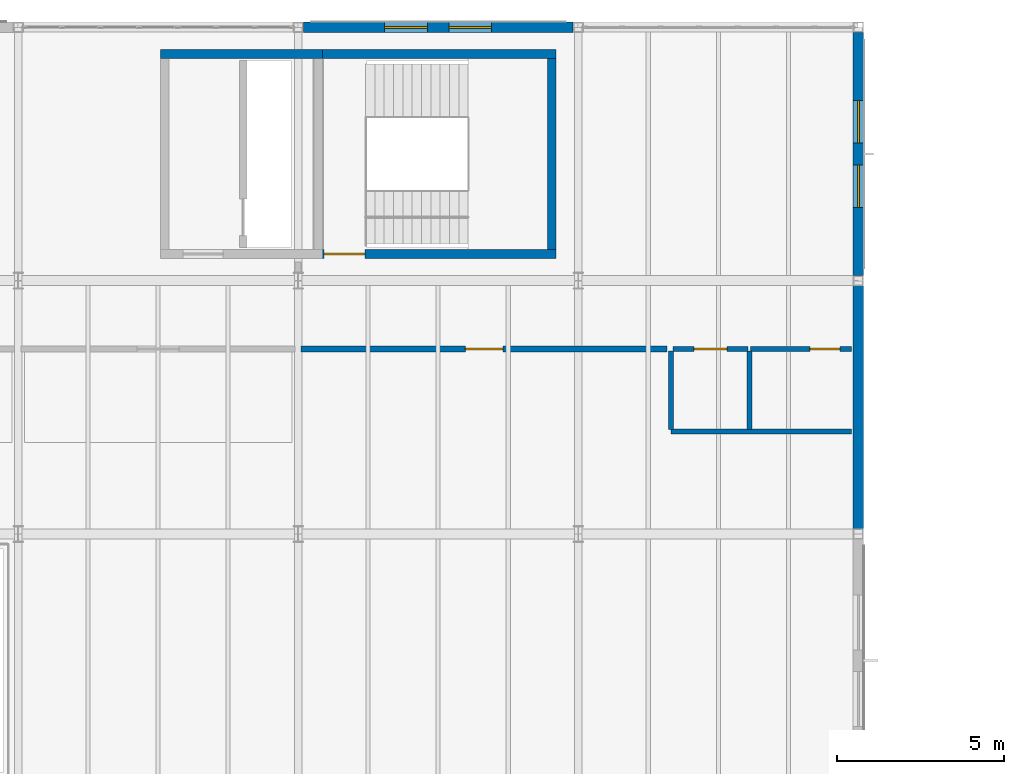
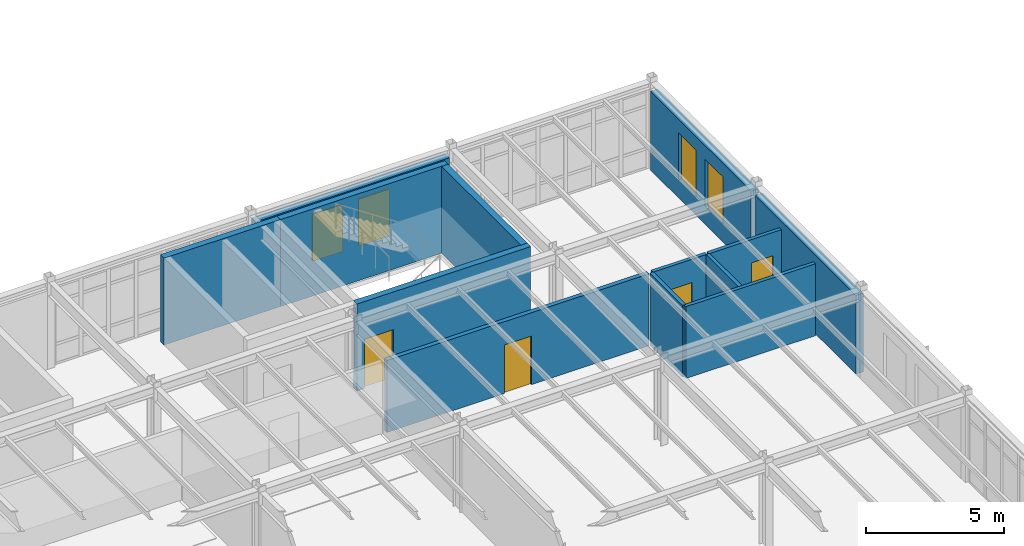
# One storey, part 140 of 165: 13 walls, 4 doors, 4 windows, 8 openings.
"""IFC4 building model written with IfcOpenShell, lengths in metres."""

from ifc_helpers import new_model, si_unit, direction, frame, frame_2d, origin, place, context, subcontext, project, spatial, rectangle, extrude, material, layer, layer_set, type_object, element, fill, save


model = new_model("IFC4")

# Units and contexts
model_context = context("Model", 3, precision=1e-05, world=origin(), true_north=direction((0.0, 1.0)))
body_context = subcontext(model_context, "Body", "Model", "MODEL_VIEW")
ifc_project = project(units=[si_unit("LENGTHUNIT", "METRE"), si_unit("AREAUNIT", "SQUARE_METRE"), si_unit("VOLUMEUNIT", "CUBIC_METRE"), si_unit("PLANEANGLEUNIT", "RADIAN"), si_unit("MASSUNIT", "GRAM", prefix="KILO")], contexts=[model_context])

# Site, building, storey
site_placement = place(None, origin())
site = spatial("IfcSite", under=ifc_project, at=site_placement, CompositionType="ELEMENT")
building_placement = place(site_placement, origin())
building = spatial("IfcBuilding", under=site, at=building_placement, Name="Montecoro Central Library", CompositionType="ELEMENT")
storey_placement = place(building_placement, frame((0.0, 0.0, 5.10009765625)))
storey = spatial("IfcBuildingStorey", under=building, at=storey_placement, Name="L01", CompositionType="ELEMENT", Elevation=5.10009765625)

# Wall
ifc_material_1 = material(Name="Roman travertine stone clad concrete C35/45", Category="masonry")
ifc_layer_1 = layer(ifc_material_1, 0.31005859375)
ifc_layer_set_1 = layer_set([ifc_layer_1], Name="Roman travertine stone clad concrete C35/45")
wall_type_1 = type_object("IfcWallType", Name="EW-TRV-310", PredefinedType="SOLIDWALL", material=ifc_layer_set_1)
wall_1_placement = place(storey_placement, frame((116.800048828125, 103.952880859375, 0.0), z_axis=(0.0, 0.0, 1.0), x_axis=(0.0, 1.0, 0.0)))
element("IfcWall", 1, at=wall_1_placement, inside=storey, type_object=wall_type_1, Name="V2-L01-EW-E3", PredefinedType="SOLIDWALL", context=body_context, shape_type="SweptSolid", body=[
    extrude(rectangle(XDim=7.294189453125, YDim=0.31005859375, at=frame_2d((3.64697265625, 0.0))), origin(), (0.0, 0.0, 1.0), 3.47998046875),
])

# Wall, openings, windows
wall_2_placement = place(storey_placement, frame((116.800048828125, 111.552978515625, 0.0), z_axis=(0.0, 0.0, 1.0), x_axis=(0.0, 1.0, 0.0)))
wall_2 = element("IfcWall", 2, at=wall_2_placement, inside=storey, type_object=wall_type_1, Name="V2-L01-EW-E4", PredefinedType="SOLIDWALL", context=body_context, shape_type="SweptSolid", body=[
    extrude(rectangle(XDim=7.2939453125, YDim=0.31005859375, at=frame_2d((3.64697265625, 0.0))), origin(), (0.0, 0.0, 1.0), 3.47998046875),
])
opening_1_placement = place(wall_2_placement, frame((2.0419921875, 0.0, 0.800048828125)))
opening_1 = element("IfcOpeningElement", 3, at=opening_1_placement, cuts=wall_2, Name="Opening WN-23", PredefinedType="OPENING", context=body_context, shape_type="SweptSolid", body=[
    extrude(rectangle(XDim=1.280029296875, YDim=2.080078125, at=frame_2d((0.64013671875, 1.0400390625))), frame((0.0, 0.1650390625, 0.0), z_axis=(0.0, -1.0, 0.0), x_axis=(1.0, 0.0, 0.0)), (0.0, 0.0, 1.0), 0.330078125),
])
opening_2_placement = place(wall_2_placement, frame((3.971923828125, 0.0, 0.800048828125)))
opening_2 = element("IfcOpeningElement", 4, at=opening_2_placement, cuts=wall_2, Name="Opening WN-23", PredefinedType="OPENING", context=body_context, shape_type="SweptSolid", body=[
    extrude(rectangle(XDim=1.280029296875, YDim=2.080078125, at=frame_2d((0.64013671875, 1.0400390625))), frame((0.0, 0.1650390625, 0.0), z_axis=(0.0, -1.0, 0.0), x_axis=(1.0, 0.0, 0.0)), (0.0, 0.0, 1.0), 0.330078125),
])
ifc_material_2 = material(Name="Laminated low-E double glazing", Category="glass")
window_type = type_object("IfcWindowType", Name="WN-RDG-128", PartitioningType="SINGLE_PANEL", PredefinedType="WINDOW", material=ifc_material_2)
window_1_placement = place(opening_1_placement, origin())
window_1 = element("IfcWindow", 5, at=window_1_placement, inside=storey, type_object=window_type, Name="V2-L01-WN-E4-1", OverallHeight=2.080078125, OverallWidth=1.280029296875, PartitioningType="SINGLE_PANEL", PredefinedType="WINDOW", context=body_context, shape_type="SweptSolid", body=[
    extrude(rectangle(XDim=1.280029296875, YDim=2.080078125, at=frame_2d((0.64013671875, 1.0400390625))), frame((0.0, 0.030029296875, 0.0), z_axis=(0.0, -1.0, 0.0), x_axis=(1.0, 0.0, 0.0)), (0.0, 0.0, 1.0), 0.06005859375),
])
fill(opening_1, window_1)
window_2_placement = place(opening_2_placement, origin())
window_2 = element("IfcWindow", 6, at=window_2_placement, inside=storey, type_object=window_type, Name="V2-L01-WN-E4-2", OverallHeight=2.080078125, OverallWidth=1.280029296875, PartitioningType="SINGLE_PANEL", PredefinedType="WINDOW", context=body_context, shape_type="SweptSolid", body=[
    extrude(rectangle(XDim=1.280029296875, YDim=2.080078125, at=frame_2d((0.64013671875, 1.0400390625))), frame((0.0, 0.030029296875, 0.0), z_axis=(0.0, -1.0, 0.0), x_axis=(1.0, 0.0, 0.0)), (0.0, 0.0, 1.0), 0.06005859375),
])
fill(opening_2, window_2)

wall_3_placement = place(storey_placement, frame((108.2470703125, 119.0, 0.0), z_axis=(0.0, 0.0, 1.0), x_axis=(-1.0, 0.0, 0.0)))
wall_3 = element("IfcWall", 7, at=wall_3_placement, inside=storey, type_object=wall_type_1, Name="V2-L01-EW-N4", PredefinedType="SOLIDWALL", context=body_context, shape_type="SweptSolid", body=[
    extrude(rectangle(XDim=8.093994140625, YDim=0.31005859375, at=frame_2d((4.046875, 0.0))), origin(), (0.0, 0.0, 1.0), 3.47998046875),
])
opening_3_placement = place(wall_3_placement, frame((2.44189453125, 0.0, 0.800048828125)))
opening_3 = element("IfcOpeningElement", 8, at=opening_3_placement, cuts=wall_3, Name="Opening WN-23", PredefinedType="OPENING", context=body_context, shape_type="SweptSolid", body=[
    extrude(rectangle(XDim=1.280029296875, YDim=2.080078125, at=frame_2d((0.64013671875, 1.0400390625))), frame((0.0, 0.1650390625, 0.0), z_axis=(0.0, -1.0, 0.0), x_axis=(1.0, 0.0, 0.0)), (0.0, 0.0, 1.0), 0.330078125),
])
opening_4_placement = place(wall_3_placement, frame((4.3720703125, 0.0, 0.800048828125)))
opening_4 = element("IfcOpeningElement", 9, at=opening_4_placement, cuts=wall_3, Name="Opening WN-23", PredefinedType="OPENING", context=body_context, shape_type="SweptSolid", body=[
    extrude(rectangle(XDim=1.280029296875, YDim=2.080078125, at=frame_2d((0.64013671875, 1.0400390625))), frame((0.0, 0.1650390625, 0.0), z_axis=(0.0, -1.0, 0.0), x_axis=(1.0, 0.0, 0.0)), (0.0, 0.0, 1.0), 0.330078125),
])
window_3_placement = place(opening_3_placement, origin())
window_3 = element("IfcWindow", 10, at=window_3_placement, inside=storey, type_object=window_type, Name="V2-L01-WN-N4-1", OverallHeight=2.080078125, OverallWidth=1.280029296875, PartitioningType="SINGLE_PANEL", PredefinedType="WINDOW", context=body_context, shape_type="SweptSolid", body=[
    extrude(rectangle(XDim=1.280029296875, YDim=2.080078125, at=frame_2d((0.64013671875, 1.0400390625))), frame((0.0, 0.030029296875, 0.0), z_axis=(0.0, -1.0, 0.0), x_axis=(1.0, 0.0, 0.0)), (0.0, 0.0, 1.0), 0.06005859375),
])
fill(opening_3, window_3)
window_4_placement = place(opening_4_placement, origin())
window_4 = element("IfcWindow", 11, at=window_4_placement, inside=storey, type_object=window_type, Name="V2-L01-WN-N4-2", OverallHeight=2.080078125, OverallWidth=1.280029296875, PartitioningType="SINGLE_PANEL", PredefinedType="WINDOW", context=body_context, shape_type="SweptSolid", body=[
    extrude(rectangle(XDim=1.280029296875, YDim=2.080078125, at=frame_2d((0.64013671875, 1.0400390625))), frame((0.0, 0.030029296875, 0.0), z_axis=(0.0, -1.0, 0.0), x_axis=(1.0, 0.0, 0.0)), (0.0, 0.0, 1.0), 0.06005859375),
])
fill(opening_4, window_4)

# Wall, opening, door
ifc_material_3 = material(Name="Gypsum fire-rated partition")
ifc_layer_2 = layer(ifc_material_3, 0.179931640625)
ifc_layer_set_2 = layer_set([ifc_layer_2], Name="Gypsum fire-rated partition")
wall_type_2 = type_object("IfcWallType", Name="IW-COR-180", PredefinedType="PARTITIONING", material=ifc_layer_set_2)
wall_4_placement = place(storey_placement, frame((100.090087890625, 109.35009765625, 0.0), z_axis=(0.0, 0.0, 1.0), x_axis=(1.0, 0.0, 0.0)))
wall_4 = element("IfcWall", 12, at=wall_4_placement, inside=storey, type_object=wall_type_2, Name="CORW-V2-L01-04", PredefinedType="PARTITIONING", context=body_context, shape_type="SweptSolid", body=[
    extrude(rectangle(XDim=10.969970703125, YDim=0.179931640625, at=frame_2d((5.48486328125, 0.0))), origin(), (0.0, 0.0, 1.0), 3.179931640625),
])
opening_5_placement = place(wall_4_placement, frame((4.925048828125, 0.0, 0.0)))
opening_5 = element("IfcOpeningElement", 13, at=opening_5_placement, cuts=wall_4, Name="Opening ID-12", PredefinedType="OPENING", context=body_context, shape_type="SweptSolid", body=[
    extrude(rectangle(XDim=1.1201171875, YDim=2.14990234375, at=frame_2d((0.56005859375, 1.074951171875))), frame((0.0, 0.099853515625, 0.0), z_axis=(0.0, -1.0, 0.0), x_axis=(1.0, 0.0, 0.0)), (0.0, 0.0, 1.0), 0.199951171875),
])
ifc_material_4 = material(Name="Solid oak and fire-rated steel door", Category="steel")
door_type_1 = type_object("IfcDoorType", Name="ID-RM-112", OperationType="NOTDEFINED", PredefinedType="DOOR", material=ifc_material_4)
door_1_placement = place(opening_5_placement, origin())
door_1 = element("IfcDoor", 14, at=door_1_placement, inside=storey, type_object=door_type_1, Name="DR-SP-V2-L01-R4P1", OperationType="SINGLE_SWING_RIGHT", OverallHeight=2.14990234375, OverallWidth=1.1201171875, PredefinedType="DOOR", context=body_context, shape_type="SweptSolid", body=[
    extrude(rectangle(XDim=1.1201171875, YDim=2.14990234375, at=frame_2d((0.56005859375, 1.074951171875))), frame((0.0, 0.02490234375, 0.0), z_axis=(0.0, -1.0, 0.0), x_axis=(1.0, 0.0, 0.0)), (0.0, 0.0, 1.0), 0.050048828125),
])
fill(opening_5, door_1)

# Wall
ifc_material_5 = material(Name="Concrete C35/45", Category="concrete")
ifc_layer_3 = layer(ifc_material_5, 0.260009765625)
ifc_layer_set_3 = layer_set([ifc_layer_3], Name="Concrete C35/45")
wall_type_3 = type_object("IfcWallType", Name="IW-SHR-260", PredefinedType="SHEAR", material=ifc_layer_set_3)
wall_5_placement = place(storey_placement, frame((100.72998046875, 118.199951171875, 0.0), z_axis=(0.0, 0.0, 1.0), x_axis=(-1.0, 0.0, 0.0)))
element("IfcWall", 15, at=wall_5_placement, inside=storey, type_object=wall_type_3, Name="C3-L01-LWN", PredefinedType="SHEAR", context=body_context, shape_type="SweptSolid", body=[
    extrude(rectangle(XDim=4.85986328125, YDim=0.260009765625, at=frame_2d((2.429931640625, 0.0))), origin(), (0.0, 0.0, 1.0), 3.844970703125),
])

# Wall, opening, door
wall_6_placement = place(storey_placement, frame((100.469970703125, 112.199951171875, 0.0), z_axis=(0.0, 0.0, 1.0), x_axis=(1.0, 0.0, 0.0)))
wall_6 = element("IfcWall", 16, at=wall_6_placement, inside=storey, type_object=wall_type_3, Name="C3-L01-WS", PredefinedType="SHEAR", context=body_context, shape_type="SweptSolid", body=[
    extrude(rectangle(XDim=7.260009765625, YDim=0.260009765625, at=frame_2d((3.6298828125, 0.0))), origin(), (0.0, 0.0, 1.0), 3.844970703125),
])
opening_6_placement = place(wall_6_placement, frame((0.31005859375, 0.0, 0.0)))
opening_6 = element("IfcOpeningElement", 17, at=opening_6_placement, cuts=wall_6, Name="Opening ID-01", PredefinedType="OPENING", context=body_context, shape_type="SweptSolid", body=[
    extrude(rectangle(XDim=1.219970703125, YDim=2.179931640625, at=frame_2d((0.60986328125, 1.08984375))), frame((0.0, 0.139892578125, 0.0), z_axis=(0.0, -1.0, 0.0), x_axis=(1.0, 0.0, 0.0)), (0.0, 0.0, 1.0), 0.280029296875),
])
door_type_2 = type_object("IfcDoorType", Name="ID-STR-140", OperationType="NOTDEFINED", PredefinedType="DOOR", material=ifc_material_4)
door_2_placement = place(opening_6_placement, origin())
door_2 = element("IfcDoor", 18, at=door_2_placement, inside=storey, type_object=door_type_2, Name="C3-L01-DSTR", OperationType="SINGLE_SWING_RIGHT", OverallHeight=2.179931640625, OverallWidth=1.219970703125, PredefinedType="DOOR", context=body_context, shape_type="SweptSolid", body=[
    extrude(rectangle(XDim=1.219970703125, YDim=2.179931640625, at=frame_2d((0.60986328125, 1.08984375))), frame((0.0, 0.02490234375, 0.0), z_axis=(0.0, -1.0, 0.0), x_axis=(1.0, 0.0, 0.0)), (0.0, 0.0, 1.0), 0.050048828125),
])
fill(opening_6, door_2)

# Walls
wall_7_placement = place(storey_placement, frame((100.469970703125, 118.199951171875, 0.0), z_axis=(0.0, 0.0, 1.0), x_axis=(1.0, 0.0, 0.0)))
element("IfcWall", 19, at=wall_7_placement, inside=storey, type_object=wall_type_3, Name="C3-L01-WN", PredefinedType="SHEAR", context=body_context, shape_type="SweptSolid", body=[
    extrude(rectangle(XDim=7.260009765625, YDim=0.260009765625, at=frame_2d((3.6298828125, 0.0))), origin(), (0.0, 0.0, 1.0), 3.844970703125),
])
wall_8_placement = place(storey_placement, frame((107.60009765625, 112.330078125, 0.0), z_axis=(0.0, 0.0, 1.0), x_axis=(0.0, 1.0, 0.0)))
element("IfcWall", 20, at=wall_8_placement, inside=storey, type_object=wall_type_3, Name="C3-L01-WE", PredefinedType="SHEAR", context=body_context, shape_type="SweptSolid", body=[
    extrude(rectangle(XDim=5.739990234375, YDim=0.260009765625, at=frame_2d((2.8701171875, 0.0))), origin(), (0.0, 0.0, 1.0), 3.844970703125),
])
ifc_material_6 = material(Name="Moisture-resistant ceramic-tiled partition")
ifc_layer_4 = layer(ifc_material_6, 0.14990234375)
ifc_layer_set_4 = layer_set([ifc_layer_4], Name="Moisture-resistant ceramic-tiled partition")
wall_type_4 = type_object("IfcWallType", Name="IW-WET-150", PredefinedType="PARTITIONING", material=ifc_layer_set_4)
wall_9_placement = place(storey_placement, frame((111.179931640625, 106.8701171875, 0.0), z_axis=(0.0, 0.0, 1.0), x_axis=(1.0, 0.0, 0.0)))
element("IfcWall", 21, at=wall_9_placement, inside=storey, type_object=wall_type_4, Name="WC-V2-L01-WBK", PredefinedType="PARTITIONING", context=body_context, shape_type="SweptSolid", body=[
    extrude(rectangle(XDim=5.420166015625, YDim=0.14990234375, at=frame_2d((2.7099609375, 0.0))), origin(), (0.0, 0.0, 1.0), 3.179931640625),
])
for number, where, z_axis, x_axis, name in (
    (22, (111.179931640625, 106.929931640625, 0.0), (0.0, 0.0, 1.0), (0.0, 1.0, 0.0), "WC-V2-L01-WW"),
    (23, (113.530029296875, 106.929931640625, 0.0), (0.0, 0.0, 1.0), (0.0, 1.0, 0.0), "WC-V2-L01-WM"),
):
    element("IfcWall", number, at=place(storey_placement, frame(where, z_axis=z_axis, x_axis=x_axis)), inside=storey, type_object=wall_type_4, Name=name, PredefinedType="PARTITIONING", context=body_context, shape_type="SweptSolid", body=[
        extrude(rectangle(XDim=2.360107421875, YDim=0.14990234375, at=frame_2d((1.18017578125, 0.0))), origin(), (0.0, 0.0, 1.0), 3.179931640625),
    ])

# Wall, opening, door
wall_10_placement = place(storey_placement, frame((111.239990234375, 109.35009765625, 0.0), z_axis=(0.0, 0.0, 1.0), x_axis=(1.0, 0.0, 0.0)))
wall_10 = element("IfcWall", 24, at=wall_10_placement, inside=storey, type_object=wall_type_4, Name="WC-V2-L01-WFA", PredefinedType="PARTITIONING", context=body_context, shape_type="SweptSolid", body=[
    extrude(rectangle(XDim=2.25, YDim=0.14990234375, at=frame_2d((1.125, 0.0))), origin(), (0.0, 0.0, 1.0), 3.179931640625),
])
opening_7_placement = place(wall_10_placement, frame((0.625, 0.0, 0.0)))
opening_7 = element("IfcOpeningElement", 25, at=opening_7_placement, cuts=wall_10, Name="Opening ID-15", PredefinedType="OPENING", context=body_context, shape_type="SweptSolid", body=[
    extrude(rectangle(XDim=1.0, YDim=2.14990234375, at=frame_2d((0.5, 1.074951171875))), frame((0.0, 0.0849609375, 0.0), z_axis=(0.0, -1.0, 0.0), x_axis=(1.0, 0.0, 0.0)), (0.0, 0.0, 1.0), 0.169921875),
])
door_type_3 = type_object("IfcDoorType", Name="ID-AWC-100", OperationType="NOTDEFINED", PredefinedType="DOOR", material=ifc_material_4)
door_3_placement = place(opening_7_placement, origin())
door_3 = element("IfcDoor", 26, at=door_3_placement, inside=storey, type_object=door_type_3, Name="DR-SP-V2-L01-AWC", OperationType="SINGLE_SWING_RIGHT", OverallHeight=2.14990234375, OverallWidth=1.0, PredefinedType="DOOR", context=body_context, shape_type="SweptSolid", body=[
    extrude(rectangle(XDim=1.0, YDim=2.14990234375, at=frame_2d((0.5, 1.074951171875))), frame((0.0, 0.02490234375, 0.0), z_axis=(0.0, -1.0, 0.0), x_axis=(1.0, 0.0, 0.0)), (0.0, 0.0, 1.0), 0.050048828125),
])
fill(opening_7, door_3)

wall_11_placement = place(storey_placement, frame((113.570068359375, 109.35009765625, 0.0), z_axis=(0.0, 0.0, 1.0), x_axis=(1.0, 0.0, 0.0)))
wall_11 = element("IfcWall", 27, at=wall_11_placement, inside=storey, type_object=wall_type_4, Name="WC-V2-L01-WFP", PredefinedType="PARTITIONING", context=body_context, shape_type="SweptSolid", body=[
    extrude(rectangle(XDim=3.030029296875, YDim=0.14990234375, at=frame_2d((1.51513671875, 0.0))), origin(), (0.0, 0.0, 1.0), 3.179931640625),
])
opening_8_placement = place(wall_11_placement, frame((1.780029296875, 0.0, 0.0)))
opening_8 = element("IfcOpeningElement", 28, at=opening_8_placement, cuts=wall_11, Name="Opening ID-16", PredefinedType="OPENING", context=body_context, shape_type="SweptSolid", body=[
    extrude(rectangle(XDim=0.89990234375, YDim=2.14990234375, at=frame_2d((0.449951171875, 1.074951171875))), frame((0.0, 0.0849609375, 0.0), z_axis=(0.0, -1.0, 0.0), x_axis=(1.0, 0.0, 0.0)), (0.0, 0.0, 1.0), 0.169921875),
])
door_type_4 = type_object("IfcDoorType", Name="ID-WC-090", OperationType="NOTDEFINED", PredefinedType="DOOR", material=ifc_material_4)
door_4_placement = place(opening_8_placement, origin())
door_4 = element("IfcDoor", 29, at=door_4_placement, inside=storey, type_object=door_type_4, Name="DR-SP-V2-L01-PWC", OperationType="SINGLE_SWING_LEFT", OverallHeight=2.14990234375, OverallWidth=0.89990234375, PredefinedType="DOOR", context=body_context, shape_type="SweptSolid", body=[
    extrude(rectangle(XDim=0.89990234375, YDim=2.14990234375, at=frame_2d((0.449951171875, 1.074951171875))), frame((0.0, 0.02490234375, 0.0), z_axis=(0.0, -1.0, 0.0), x_axis=(1.0, 0.0, 0.0)), (0.0, 0.0, 1.0), 0.050048828125),
])
fill(opening_8, door_4)

save(model, "model.ifc")
